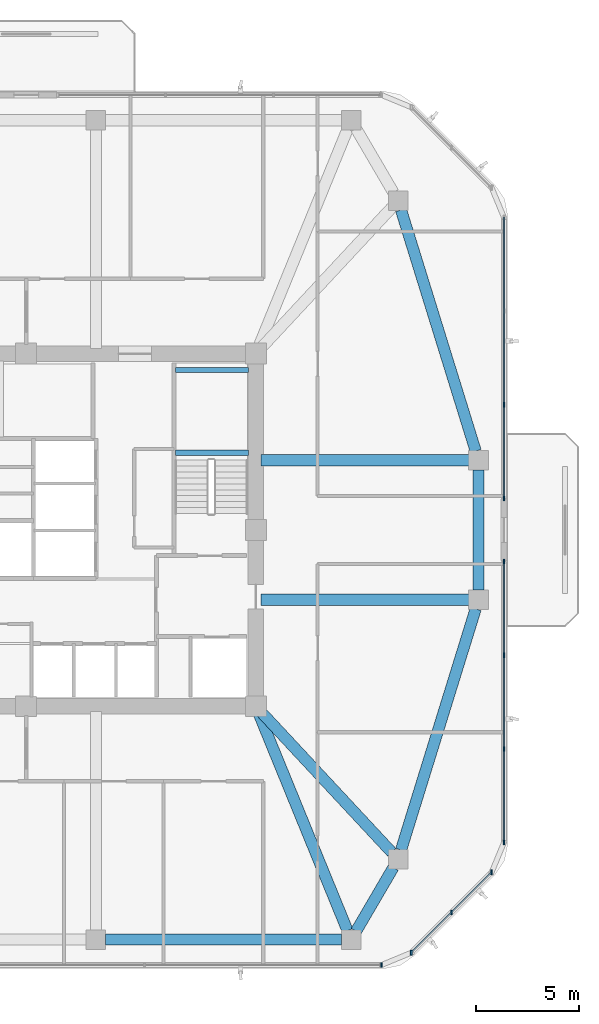
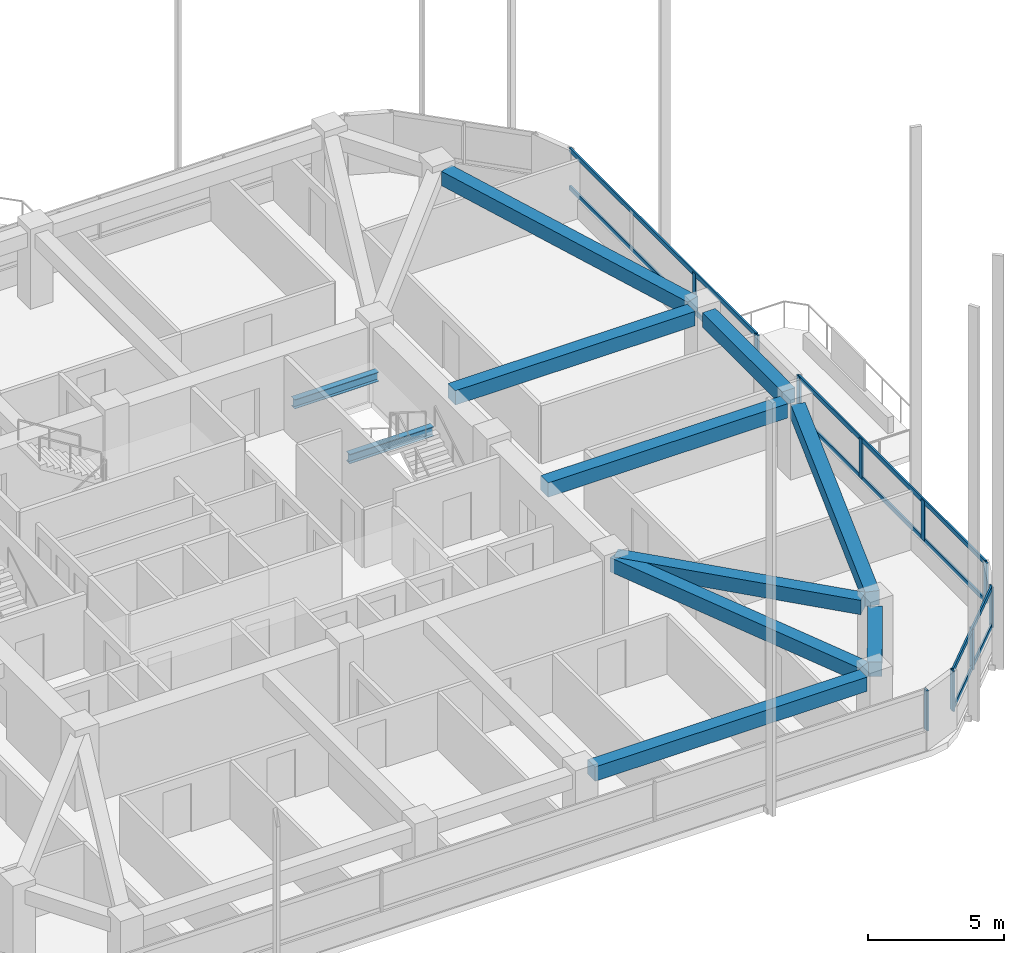
# One storey, part 4 of 14: 16 members, 11 beams, 4 elements without a shape of their own.
"""IFC4 building model written with IfcOpenShell, lengths in metres."""

from ifc_helpers import new_model, si_unit, derived_unit, direction, frame, origin, origin_2d, place, context, subcontext, project, spatial, rectangle, i_section, extrude, material, material_profile, profile_set, type_object, element, aggregate, save


model = new_model("IFC4")

# Units and contexts
model_context = context("Model", 3, precision=1e-05, world=origin(), true_north=direction((0.0, 1.0)))
body_context = subcontext(model_context, "Body", "Model", "MODEL_VIEW")
ifc_project = project(units=[si_unit("LENGTHUNIT", "METRE"), si_unit("AREAUNIT", "SQUARE_METRE"), si_unit("VOLUMEUNIT", "CUBIC_METRE"), si_unit("PLANEANGLEUNIT", "RADIAN"), si_unit("MASSUNIT", "GRAM", prefix="KILO"), derived_unit("THERMALTRANSMITTANCEUNIT", [(si_unit("POWERUNIT", "WATT"), 1), (si_unit("LENGTHUNIT", "METRE"), -2), (si_unit("THERMODYNAMICTEMPERATUREUNIT", "KELVIN"), -1)])], contexts=[model_context])

# Site, building, storey
site_placement = place(None, origin())
site = spatial("IfcSite", under=ifc_project, at=site_placement, CompositionType="ELEMENT")
building_placement = place(site_placement, origin())
building = spatial("IfcBuilding", under=site, at=building_placement, Name="Koralith Skygarden Medical Center", CompositionType="ELEMENT")
storey_placement = place(building_placement, frame((0.0, 0.0, 174.419921875)))
storey = spatial("IfcBuildingStorey", under=building, at=storey_placement, Name="L45", CompositionType="ELEMENT", Elevation=174.419921875)

# Curtain wall, member
ifc_material_1 = material(Name="Clear Laminated Glass", Category="glass")
curtain_wall_type = type_object("IfcCurtainWallType", Name="CW-4 Zone 3 Waist High-Wind Curtain Wall", PredefinedType="NOTDEFINED", material=ifc_material_1)
curtain_wall_1_placement = place(storey_placement, origin())
curtain_wall_1 = element("IfcCurtainWall", 1, at=curtain_wall_1_placement, inside=storey, type_object=curtain_wall_type, Name="Curtain Wall CW-L45-S", PredefinedType="NOTDEFINED")
ifc_material_2 = material(Name="Aluminium 6063-T6", Category="aluminium")
ifc_material_profile_1 = material_profile(ifc_material_2, rectangle(XDim=0.076904296875, YDim=0.22998046875, at=origin_2d()), Name="MUL77X230")
ifc_profile_set_1 = profile_set([ifc_material_profile_1], Name="Aluminium 6063-T6")
member_type_1 = type_object("IfcMemberType", Name="CW-4 Extruded Mullion 77x230", PredefinedType="MULLION", material=ifc_profile_set_1)
member_1_placement = place(storey_placement, frame((54.3291015625, 4.679931640625, 0.85009765625), z_axis=(0.0, 0.0, 1.0), x_axis=(1.0, 0.0, 0.0)))
member_1 = element("IfcMember", 2, at=member_1_placement, type_object=member_type_1, Name="CW-L45-S Mullion 4", PredefinedType="MULLION", context=body_context, shape_type="SweptSolid", body=[
    extrude(rectangle(XDim=0.076904296875, YDim=0.22998046875, at=origin_2d()), origin(), (0.0, 0.0, 1.0), 1.800048828125),
])
aggregate(curtain_wall_1, [member_1])

# Curtain wall, members
curtain_wall_2_placement = place(storey_placement, origin())
curtain_wall_2 = element("IfcCurtainWall", 3, at=curtain_wall_2_placement, inside=storey, type_object=curtain_wall_type, Name="Curtain Wall CW-L45-SE", PredefinedType="NOTDEFINED")
member_2_placement = place(storey_placement, frame((55.780029296875, 5.281005859375, 0.85009765625), z_axis=(0.0, 0.0, 1.0), x_axis=(1.0, 0.0, 0.0)))
member_2 = element("IfcMember", 4, at=member_2_placement, type_object=member_type_1, Name="CW-L45-SE Mullion 1", PredefinedType="MULLION", context=body_context, shape_type="SweptSolid", body=[
    extrude(rectangle(XDim=0.076904296875, YDim=0.22998046875, at=origin_2d()), origin(), (0.0, 0.0, 1.0), 1.800048828125),
])
member_3_placement = place(storey_placement, frame((57.741943359375, 7.241943359375, 0.85009765625), z_axis=(0.0, 0.0, 1.0), x_axis=(1.0, 0.0, 0.0)))
member_3 = element("IfcMember", 5, at=member_3_placement, type_object=member_type_1, Name="CW-L45-SE Mullion 2", PredefinedType="MULLION", context=body_context, shape_type="SweptSolid", body=[
    extrude(rectangle(XDim=0.076904296875, YDim=0.22998046875, at=origin_2d()), origin(), (0.0, 0.0, 1.0), 1.800048828125),
])
member_4_placement = place(storey_placement, frame((59.702880859375, 9.2041015625, 0.85009765625), z_axis=(0.0, 0.0, 1.0), x_axis=(1.0, 0.0, 0.0)))
member_4 = element("IfcMember", 6, at=member_4_placement, type_object=member_type_1, Name="CW-L45-SE Mullion 3", PredefinedType="MULLION", context=body_context, shape_type="SweptSolid", body=[
    extrude(rectangle(XDim=0.076904296875, YDim=0.22998046875, at=origin_2d()), origin(), (0.0, 0.0, 1.0), 1.800048828125),
])

curtain_wall_3_placement = place(storey_placement, origin())
curtain_wall_3 = element("IfcCurtainWall", 7, at=curtain_wall_3_placement, inside=storey, type_object=curtain_wall_type, Name="Curtain Wall CW-L45-E-L", PredefinedType="NOTDEFINED")
member_5_placement = place(storey_placement, frame((60.303955078125, 10.655029296875, 0.85009765625), z_axis=(0.0, 0.0, 1.0), x_axis=(1.0, 0.0, 0.0)))
member_5 = element("IfcMember", 8, at=member_5_placement, type_object=member_type_1, Name="CW-L45-E-L Mullion 1", PredefinedType="MULLION", context=body_context, shape_type="SweptSolid", body=[
    extrude(rectangle(XDim=0.076904296875, YDim=0.22998046875, at=origin_2d()), origin(), (0.0, 0.0, 1.0), 1.800048828125),
])
member_6_placement = place(storey_placement, frame((60.303955078125, 15.222900390625, 0.85009765625), z_axis=(0.0, 0.0, 1.0), x_axis=(1.0, 0.0, 0.0)))
member_6 = element("IfcMember", 9, at=member_6_placement, type_object=member_type_1, Name="CW-L45-E-L Mullion 2", PredefinedType="MULLION", context=body_context, shape_type="SweptSolid", body=[
    extrude(rectangle(XDim=0.076904296875, YDim=0.22998046875, at=origin_2d()), origin(), (0.0, 0.0, 1.0), 1.800048828125),
])
member_7_placement = place(storey_placement, frame((60.303955078125, 19.7919921875, 0.85009765625), z_axis=(0.0, 0.0, 1.0), x_axis=(1.0, 0.0, 0.0)))
member_7 = element("IfcMember", 10, at=member_7_placement, type_object=member_type_1, Name="CW-L45-E-L Mullion 3", PredefinedType="MULLION", context=body_context, shape_type="SweptSolid", body=[
    extrude(rectangle(XDim=0.076904296875, YDim=0.22998046875, at=origin_2d()), origin(), (0.0, 0.0, 1.0), 1.800048828125),
])
member_8_placement = place(storey_placement, frame((60.303955078125, 24.360107421875, 0.85009765625), z_axis=(0.0, 0.0, 1.0), x_axis=(1.0, 0.0, 0.0)))
member_8 = element("IfcMember", 11, at=member_8_placement, type_object=member_type_1, Name="CW-L45-E-L Mullion 4", PredefinedType="MULLION", context=body_context, shape_type="SweptSolid", body=[
    extrude(rectangle(XDim=0.076904296875, YDim=0.22998046875, at=origin_2d()), origin(), (0.0, 0.0, 1.0), 1.800048828125),
])

curtain_wall_4_placement = place(storey_placement, origin())
curtain_wall_4 = element("IfcCurtainWall", 12, at=curtain_wall_4_placement, inside=storey, type_object=curtain_wall_type, Name="Curtain Wall CW-L45-E-R", PredefinedType="NOTDEFINED")
member_9_placement = place(storey_placement, frame((60.303955078125, 27.43994140625, 0.85009765625), z_axis=(0.0, 0.0, 1.0), x_axis=(1.0, 0.0, 0.0)))
member_9 = element("IfcMember", 13, at=member_9_placement, type_object=member_type_1, Name="CW-L45-E-R Mullion 1", PredefinedType="MULLION", context=body_context, shape_type="SweptSolid", body=[
    extrude(rectangle(XDim=0.076904296875, YDim=0.22998046875, at=origin_2d()), origin(), (0.0, 0.0, 1.0), 1.800048828125),
])
member_10_placement = place(storey_placement, frame((60.303955078125, 32.008056640625, 0.85009765625), z_axis=(0.0, 0.0, 1.0), x_axis=(1.0, 0.0, 0.0)))
member_10 = element("IfcMember", 14, at=member_10_placement, type_object=member_type_1, Name="CW-L45-E-R Mullion 2", PredefinedType="MULLION", context=body_context, shape_type="SweptSolid", body=[
    extrude(rectangle(XDim=0.076904296875, YDim=0.22998046875, at=origin_2d()), origin(), (0.0, 0.0, 1.0), 1.800048828125),
])

# Member
ifc_material_profile_2 = material_profile(ifc_material_2, rectangle(XDim=0.072021484375, YDim=0.20703125, at=origin_2d()), Name="TRN72X207")
ifc_profile_set_2 = profile_set([ifc_material_profile_2], Name="Aluminium 6063-T6")
member_type_2 = type_object("IfcMemberType", Name="CW-4 Thermal Transom 72x207", PredefinedType="USERDEFINED", material=ifc_profile_set_2)
member_11_placement = place(storey_placement, frame((55.780029296875, 5.281005859375, 0.900146484375), z_axis=(0.707084777957, 0.707128783731, 0.0), x_axis=(-0.707128783731, 0.707084777957, 0.0)))
member_11 = element("IfcMember", 15, at=member_11_placement, type_object=member_type_2, Name="CW-L45-SE Transom 1", ObjectType="TRANSOM", PredefinedType="USERDEFINED", context=body_context, shape_type="SweptSolid", body=[
    extrude(rectangle(XDim=0.072021484375, YDim=0.20703125, at=origin_2d()), origin(), (0.0, 0.0, 1.0), 5.5478515625),
])

member_12_placement = place(storey_placement, frame((55.780029296875, 5.281005859375, 2.60009765625), z_axis=(0.707084777957, 0.707128783731, 0.0), x_axis=(-0.707128783731, 0.707084777957, 0.0)))
member_12 = element("IfcMember", 16, at=member_12_placement, type_object=member_type_2, Name="CW-L45-SE Transom 2", ObjectType="TRANSOM", PredefinedType="USERDEFINED", context=body_context, shape_type="SweptSolid", body=[
    extrude(rectangle(XDim=0.072021484375, YDim=0.20703125, at=origin_2d()), origin(), (0.0, 0.0, 1.0), 5.5478515625),
])

aggregate(curtain_wall_2, [member_2, member_3, member_4, member_11, member_12])

member_13_placement = place(storey_placement, frame((60.303955078125, 10.655029296875, 0.900146484375), z_axis=(0.0, 1.0, 0.0), x_axis=(-1.0, 0.0, 0.0)))
member_13 = element("IfcMember", 17, at=member_13_placement, type_object=member_type_2, Name="CW-L45-E-L Transom 1", ObjectType="TRANSOM", PredefinedType="USERDEFINED", context=body_context, shape_type="SweptSolid", body=[
    extrude(rectangle(XDim=0.072021484375, YDim=0.20703125, at=origin_2d()), origin(), (0.0, 0.0, 1.0), 13.705078125),
])

member_14_placement = place(storey_placement, frame((60.303955078125, 10.655029296875, 2.60009765625), z_axis=(0.0, 1.0, 0.0), x_axis=(-1.0, 0.0, 0.0)))
member_14 = element("IfcMember", 18, at=member_14_placement, type_object=member_type_2, Name="CW-L45-E-L Transom 2", ObjectType="TRANSOM", PredefinedType="USERDEFINED", context=body_context, shape_type="SweptSolid", body=[
    extrude(rectangle(XDim=0.072021484375, YDim=0.20703125, at=origin_2d()), origin(), (0.0, 0.0, 1.0), 13.705078125),
])

aggregate(curtain_wall_3, [member_5, member_6, member_7, member_8, member_13, member_14])

member_15_placement = place(storey_placement, frame((60.303955078125, 27.43994140625, 0.900146484375), z_axis=(0.0, 1.0, 0.0), x_axis=(-1.0, 0.0, 0.0)))
member_15 = element("IfcMember", 19, at=member_15_placement, type_object=member_type_2, Name="CW-L45-E-R Transom 1", ObjectType="TRANSOM", PredefinedType="USERDEFINED", context=body_context, shape_type="SweptSolid", body=[
    extrude(rectangle(XDim=0.072021484375, YDim=0.20703125, at=origin_2d()), origin(), (0.0, 0.0, 1.0), 13.705078125),
])

member_16_placement = place(storey_placement, frame((60.303955078125, 27.43994140625, 2.60009765625), z_axis=(0.0, 1.0, 0.0), x_axis=(-1.0, 0.0, 0.0)))
member_16 = element("IfcMember", 20, at=member_16_placement, type_object=member_type_2, Name="CW-L45-E-R Transom 2", ObjectType="TRANSOM", PredefinedType="USERDEFINED", context=body_context, shape_type="SweptSolid", body=[
    extrude(rectangle(XDim=0.072021484375, YDim=0.20703125, at=origin_2d()), origin(), (0.0, 0.0, 1.0), 13.705078125),
])

aggregate(curtain_wall_4, [member_9, member_10, member_15, member_16])

# Beams
ifc_material_3 = material(Name="Steel ASTM A992 Grade 50", Category="steel")
ifc_material_profile_3 = material_profile(ifc_material_3, i_section(OverallWidth=0.260009765625, OverallDepth=0.4150390625, WebThickness=0.010009765625, FlangeThickness=0.016845703125, at=origin_2d()), Name="W16X67")
ifc_profile_set_3 = profile_set([ifc_material_profile_3], Name="Steel ASTM A992 Grade 50")
beam_type_1 = type_object("IfcBeamType", Name="Clinical Floor Joist W16X67", PredefinedType="JOIST", material=ifc_profile_set_3)
for number, where, z_axis, x_axis, name in (
    (21, (44.280029296875, 29.659912109375, 1.39208984375), (1.0, 0.0, 0.0), (0.0, 1.0, 0.0), "L45 Stair ST2 Half-Landing Support Beam 1A"),
    (22, (44.280029296875, 33.699951171875, 1.39208984375), (1.0, 0.0, 0.0), (0.0, 1.0, 0.0), "L45 Stair ST2 Half-Landing Support Beam 1B"),
):
    element("IfcBeam", number, at=place(storey_placement, frame(where, z_axis=z_axis, x_axis=x_axis)), inside=storey, type_object=beam_type_1, Name=name, PredefinedType="JOIST", context=body_context, shape_type="SweptSolid", body=[
        extrude(i_section(OverallWidth=0.260009765625, OverallDepth=0.4150390625, WebThickness=0.010009765625, FlangeThickness=0.016845703125, at=origin_2d()), origin(), (0.0, 0.0, 1.0), 3.56494140625),
    ])
ifc_material_4 = material(Name="Concrete C45/55", Category="concrete")
ifc_material_profile_4 = material_profile(ifc_material_4, rectangle(XDim=0.550048828125, YDim=0.639892578125, at=origin_2d()), Name="RCB550X640")
ifc_profile_set_4 = profile_set([ifc_material_profile_4], Name="Concrete C45/55")
beam_type_2 = type_object("IfcBeamType", Name="Radial Collector Beam RCB550X640", PredefinedType="BEAM", material=ifc_profile_set_4)
beam_1_placement = place(storey_placement, frame((48.294921875, 17.069091796875, 2.97998046875), z_axis=(0.378344544364, -0.92566484526, 0.0), x_axis=(0.92566484526, 0.378344544364, 0.0)))
element("IfcBeam", 23, at=beam_1_placement, inside=storey, type_object=beam_type_2, Name="L45 Radial Collector Beam RB-06", PredefinedType="BEAM", context=body_context, shape_type="SweptSolid", body=[
    extrude(rectangle(XDim=0.550048828125, YDim=0.639892578125, at=origin_2d()), origin(), (0.0, 0.0, 1.0), 11.574462890625),
])
beam_2_placement = place(storey_placement, frame((48.3701171875, 17.116943359375, 2.97998046875), z_axis=(0.681369011591, -0.731940072713, 0.0), x_axis=(0.731940072713, 0.681369011591, 0.0)))
element("IfcBeam", 24, at=beam_2_placement, inside=storey, type_object=beam_type_2, Name="L45 Radial Collector Beam RB-07", PredefinedType="BEAM", context=body_context, shape_type="SweptSolid", body=[
    extrude(rectangle(XDim=0.550048828125, YDim=0.639892578125, at=origin_2d()), origin(), (0.0, 0.0, 1.0), 9.471923828125),
])
for number, where, z_axis, x_axis, name in (
    (25, (48.449951171875, 22.5, 2.97998046875), (1.0, 0.0, 0.0), (0.0, 1.0, 0.0), "L45 Radial Collector Beam RB-08"),
    (26, (48.449951171875, 29.300048828125, 2.97998046875), (1.0, 0.0, 0.0), (0.0, 1.0, 0.0), "L45 Radial Collector Beam RB-09"),
):
    element("IfcBeam", number, at=place(storey_placement, frame(where, z_axis=z_axis, x_axis=x_axis)), inside=storey, type_object=beam_type_2, Name=name, PredefinedType="BEAM", context=body_context, shape_type="SweptSolid", body=[
        extrude(rectangle(XDim=0.550048828125, YDim=0.639892578125, at=origin_2d()), origin(), (0.0, 0.0, 1.0), 10.14404296875),
    ])
ifc_material_profile_5 = material_profile(ifc_material_4, rectangle(XDim=0.550048828125, YDim=0.639892578125, at=origin_2d()), Name="RCB550X640")
ifc_profile_set_5 = profile_set([ifc_material_profile_5], Name="Concrete C45/55")
beam_type_3 = type_object("IfcBeamType", Name="Zone 2-3 Spandrel Beam RCB550X640", PredefinedType="SPANDREL", material=ifc_profile_set_5)
beam_3_placement = place(storey_placement, frame((40.8701171875, 5.919921875, 2.97998046875), z_axis=(1.0, 0.0, 0.0), x_axis=(0.0, 1.0, 0.0)))
element("IfcBeam", 27, at=beam_3_placement, inside=storey, type_object=beam_type_3, Name="L45 Perimeter Spandrel Beam SP-05", PredefinedType="SPANDREL", context=body_context, shape_type="SweptSolid", body=[
    extrude(rectangle(XDim=0.550048828125, YDim=0.639892578125, at=origin_2d()), origin(), (0.0, 0.0, 1.0), 11.511962890625),
])
beam_4_placement = place(storey_placement, frame((53.089111328125, 6.325927734375, 2.97998046875), z_axis=(0.504861391295, 0.863200426077, 0.0), x_axis=(-0.863200426077, 0.504861391295, 0.0)))
element("IfcBeam", 28, at=beam_4_placement, inside=storey, type_object=beam_type_3, Name="L45 Perimeter Spandrel Beam SP-06", PredefinedType="SPANDREL", context=body_context, shape_type="SweptSolid", body=[
    extrude(rectangle(XDim=0.550048828125, YDim=0.639892578125, at=origin_2d()), origin(), (0.0, 0.0, 1.0), 3.600830078125),
])
beam_5_placement = place(storey_placement, frame((55.282958984375, 10.2890625, 2.97998046875), z_axis=(0.295793585147, 0.955251880389, 0.0), x_axis=(-0.955251880389, 0.295793585147, 0.0)))
element("IfcBeam", 29, at=beam_5_placement, inside=storey, type_object=beam_type_3, Name="L45 Perimeter Spandrel Beam SP-07", PredefinedType="SPANDREL", context=body_context, shape_type="SweptSolid", body=[
    extrude(rectangle(XDim=0.550048828125, YDim=0.639892578125, at=origin_2d()), origin(), (0.0, 0.0, 1.0), 12.31298828125),
])
beam_6_placement = place(storey_placement, frame((59.06396484375, 22.969970703125, 2.97998046875), z_axis=(0.0, 1.0, 0.0), x_axis=(-1.0, 0.0, 0.0)))
element("IfcBeam", 30, at=beam_6_placement, inside=storey, type_object=beam_type_3, Name="L45 Perimeter Spandrel Beam SP-08", PredefinedType="SPANDREL", context=body_context, shape_type="SweptSolid", body=[
    extrude(rectangle(XDim=0.550048828125, YDim=0.639892578125, at=origin_2d()), origin(), (0.0, 0.0, 1.0), 5.860107421875),
])
beam_7_placement = place(storey_placement, frame((58.925048828125, 29.7490234375, 2.97998046875), z_axis=(-0.295793585147, 0.955251880389, 0.0), x_axis=(-0.955251880389, -0.295793585147, 0.0)))
element("IfcBeam", 31, at=beam_7_placement, inside=storey, type_object=beam_type_3, Name="L45 Perimeter Spandrel Beam SP-09", PredefinedType="SPANDREL", context=body_context, shape_type="SweptSolid", body=[
    extrude(rectangle(XDim=0.550048828125, YDim=0.639892578125, at=origin_2d()), origin(), (0.0, 0.0, 1.0), 12.31298828125),
])

save(model, "model.ifc")
